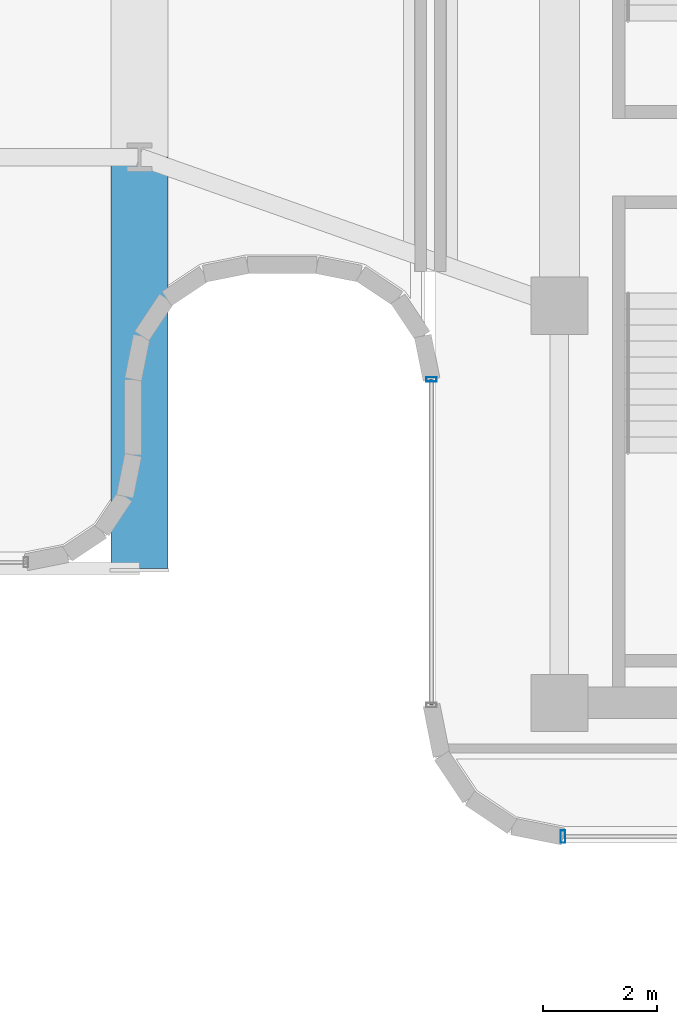
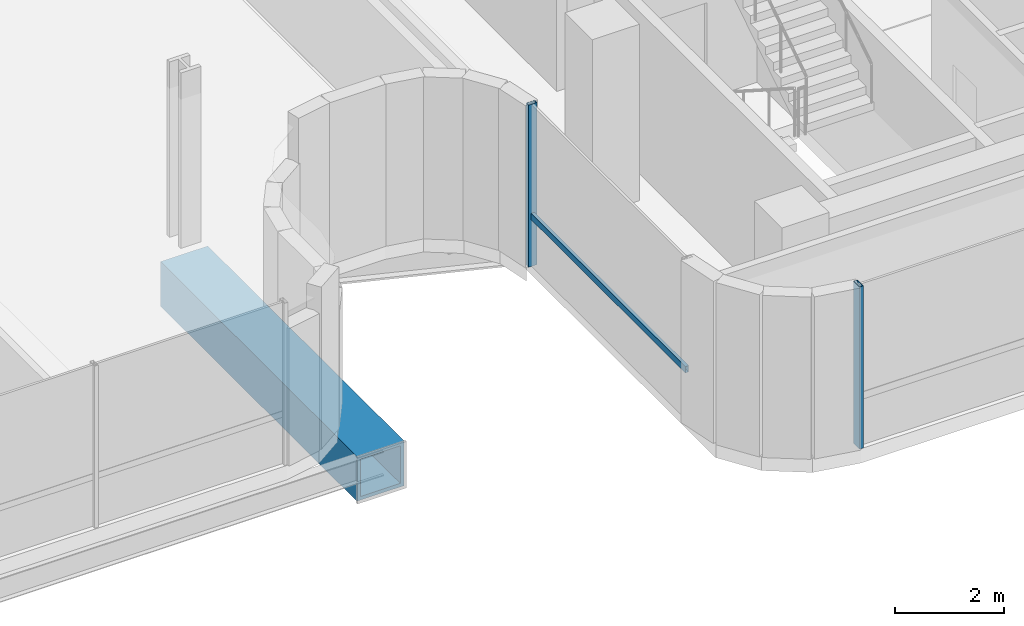
# One storey, part 12 of 39: 3 members, 1 beam, 2 elements without a shape of their own.
"""IFC4 building model written with IfcOpenShell, lengths in metres."""

from ifc_helpers import new_model, si_unit, direction, frame, origin, origin_2d, place, context, subcontext, project, spatial, hollow_rectangle, extrude, source, transform, mapped, material, material_profile, profile_set, type_object, element, aggregate, save


model = new_model("IFC4")

# Units and contexts
model_context = context("Model", 3, precision=1e-05, world=origin(), true_north=direction((0.0, 1.0)))
body_context = subcontext(model_context, "Body", "Model", "MODEL_VIEW")
ifc_project = project(units=[si_unit("LENGTHUNIT", "METRE"), si_unit("AREAUNIT", "SQUARE_METRE"), si_unit("VOLUMEUNIT", "CUBIC_METRE"), si_unit("PLANEANGLEUNIT", "RADIAN"), si_unit("MASSUNIT", "GRAM", prefix="KILO")], contexts=[model_context])

# Site, building, storey
site_placement = place(None, origin())
site = spatial("IfcSite", under=ifc_project, at=site_placement, CompositionType="ELEMENT")
building_placement = place(site_placement, origin())
building = spatial("IfcBuilding", under=site, at=building_placement, Name="Valdorenza Pilgrim Sanctuary Tower", CompositionType="ELEMENT")
storey_placement = place(building_placement, frame((0.0, 0.0, 184.449951171875)))
storey = spatial("IfcBuildingStorey", under=building, at=storey_placement, Name="L47", CompositionType="ELEMENT", Elevation=184.449951171875)

# Beam
ifc_material_1 = material(Name="Steel ASTM A572 Grade 42", Category="steel")
ifc_material_profile_1 = material_profile(ifc_material_1, hollow_rectangle(XDim=1.0, YDim=1.0, WallThickness=0.080078125, at=origin_2d()), Name="BOX 1000x1000x80")
ifc_profile_set_1 = profile_set([ifc_material_profile_1], Name="Steel ASTM A572 Grade 42")
beam_type = type_object("IfcBeamType", Name="STR-BM-PROW-CANT", PredefinedType="BEAM", material=ifc_profile_set_1)
shared_shape_1 = source(origin(), body_context, "Body", "SweptSolid", [
    extrude(hollow_rectangle(XDim=1.0, YDim=1.0, WallThickness=0.080078125, at=origin_2d()), origin(), (0.0, 0.0, 1.0), 7.199951171875),
])
beam_placement = place(storey_placement, frame((8.5, 0.0, -0.820068359375), z_axis=(0.0, -1.0, 0.0), x_axis=(1.0, 0.0, 0.0)))
element("IfcBeam", 1, at=beam_placement, inside=storey, type_object=beam_type, Name="L47 South Sanctuary Prow Cantilever PROW-CANT-S-E", PredefinedType="BEAM", context=body_context, shape_type="MappedRepresentation", body=[
    mapped(shared_shape_1, transform((0.0, 0.0, 0.0), x_axis=(1.0, 0.0, 0.0), y_axis=(0.0, 1.0, 0.0), z_axis=(0.0, 0.0, 1.0), scale=1.0)),
])

# Curtain wall, members
ifc_material_2 = material(Name="Curtain-wall IGU glazing", Category="glass")
curtain_wall_type_1 = type_object("IfcCurtainWallType", Name="CW-SYS-05", PredefinedType="NOTDEFINED", material=ifc_material_2)
curtain_wall_1_placement = place(storey_placement, origin())
curtain_wall_1 = element("IfcCurtainWall", 2, at=curtain_wall_1_placement, inside=storey, type_object=curtain_wall_type_1, Name="L47 Curtain Wall CW-L47-1-47", PredefinedType="NOTDEFINED")
ifc_material_3 = material(Name="Anodised aluminium AW-6060", Category="aluminium")
ifc_material_profile_2 = material_profile(ifc_material_3, hollow_rectangle(XDim=0.070068359375, YDim=0.139892578125, WallThickness=0.00341796875, at=origin_2d()), Name="ALU-T 140x70x3.5")
ifc_profile_set_2 = profile_set([ifc_material_profile_2], Name="Anodised aluminium AW-6060")
member_type_1 = type_object("IfcMemberType", Name="CW-TRN-05", PredefinedType="USERDEFINED", material=ifc_profile_set_2)
shared_shape_2 = source(origin(), body_context, "Body", "SweptSolid", [
    extrude(hollow_rectangle(XDim=0.070068359375, YDim=0.139892578125, WallThickness=0.00341796875, at=origin_2d()), origin(), (0.0, 0.0, 1.0), 5.699951171875),
])
member_1_placement = place(storey_placement, frame((13.610107421875, -9.589111328125, 1.1201171875), z_axis=(0.0, 1.0, 0.0), x_axis=(-1.0, 0.0, 0.0)))
member_1 = element("IfcMember", 3, at=member_1_placement, type_object=member_type_1, Name="CW-L47-1-47 Transom 1", ObjectType="TRANSOM", PredefinedType="USERDEFINED", context=body_context, shape_type="MappedRepresentation", body=[
    mapped(shared_shape_2, transform((0.0, 0.0, 0.0), x_axis=(1.0, 0.0, 0.0), y_axis=(0.0, 1.0, 0.0), z_axis=(0.0, 0.0, 1.0), scale=1.0)),
])
ifc_material_profile_3 = material_profile(ifc_material_3, hollow_rectangle(XDim=0.080078125, YDim=0.179931640625, WallThickness=0.00439453125, at=origin_2d()), Name="ALU-M 180x80x4.5")
ifc_profile_set_3 = profile_set([ifc_material_profile_3], Name="Anodised aluminium AW-6060")
member_type_2 = type_object("IfcMemberType", Name="CW-MUL-05", PredefinedType="MULLION", material=ifc_profile_set_3)
shared_shape_3 = source(origin(), body_context, "Body", "SweptSolid", [
    extrude(hollow_rectangle(XDim=0.080078125, YDim=0.179931640625, WallThickness=0.00439453125, at=origin_2d()), origin(), (0.0, 0.0, 1.0), 3.630126953125),
])
member_2_placement = place(storey_placement, frame((13.610107421875, -3.88916015625, 0.0), z_axis=(0.0, 0.0, 1.0), x_axis=(0.0, 1.0, 0.0)))
member_2 = element("IfcMember", 4, at=member_2_placement, type_object=member_type_2, Name="CW-L47-1-47 Mullion 2", PredefinedType="MULLION", context=body_context, shape_type="MappedRepresentation", body=[
    mapped(shared_shape_3, transform((0.0, 0.0, 0.0), x_axis=(1.0, 0.0, 0.0), y_axis=(0.0, 1.0, 0.0), z_axis=(0.0, 0.0, 1.0), scale=1.0)),
])
aggregate(curtain_wall_1, [member_2, member_1])

# Curtain wall, member
curtain_wall_type_2 = type_object("IfcCurtainWallType", Name="CW-SYS-03", PredefinedType="NOTDEFINED", material=ifc_material_2)
curtain_wall_2_placement = place(storey_placement, origin())
curtain_wall_2 = element("IfcCurtainWall", 5, at=curtain_wall_2_placement, inside=storey, type_object=curtain_wall_type_2, Name="L47 Curtain Wall CW-L47-1-42", PredefinedType="NOTDEFINED")
ifc_material_profile_4 = material_profile(ifc_material_3, hollow_rectangle(XDim=0.0849609375, YDim=0.219970703125, WallThickness=0.0048828125, at=origin_2d()), Name="ALU-M 220x85x5")
ifc_profile_set_4 = profile_set([ifc_material_profile_4], Name="Anodised aluminium AW-6060")
member_type_3 = type_object("IfcMemberType", Name="CW-MUL-03", PredefinedType="MULLION", material=ifc_profile_set_4)
shared_shape_4 = source(origin(), body_context, "Body", "SweptSolid", [
    extrude(hollow_rectangle(XDim=0.0849609375, YDim=0.219970703125, WallThickness=0.0048828125, at=origin_2d()), origin(), (0.0, 0.0, 1.0), 3.630126953125),
])
member_3_placement = place(storey_placement, frame((15.910888671875, -11.889892578125, 0.0), z_axis=(0.0, 0.0, 1.0), x_axis=(-1.0, 0.0, 0.0)))
member_3 = element("IfcMember", 6, at=member_3_placement, type_object=member_type_3, Name="CW-L47-1-42 Mullion 3", PredefinedType="MULLION", context=body_context, shape_type="MappedRepresentation", body=[
    mapped(shared_shape_4, transform((0.0, 0.0, 0.0), x_axis=(1.0, 0.0, 0.0), y_axis=(0.0, 1.0, 0.0), z_axis=(0.0, 0.0, 1.0), scale=1.0)),
])
aggregate(curtain_wall_2, [member_3])

save(model, "model.ifc")
